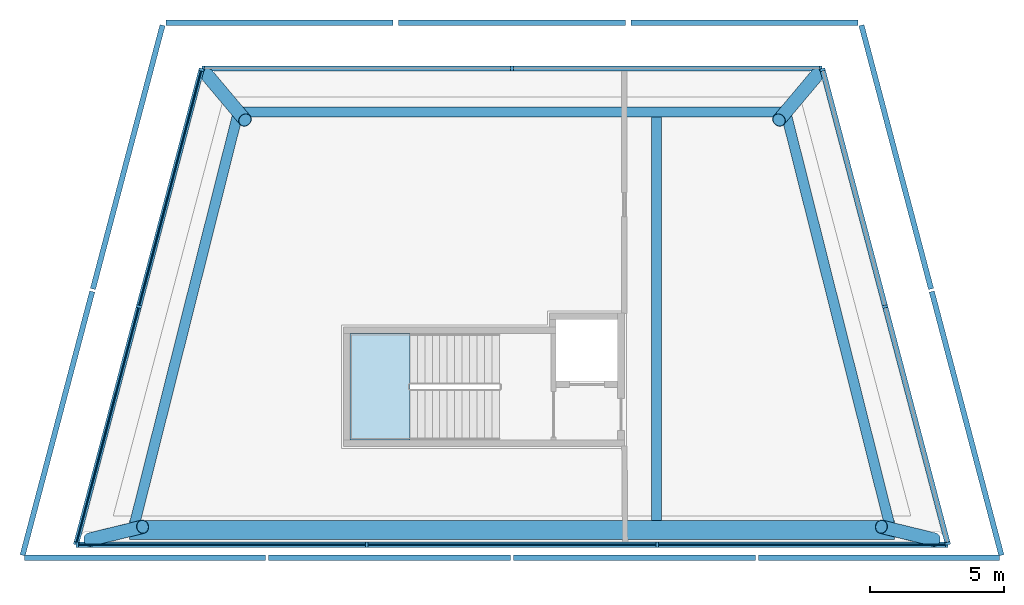
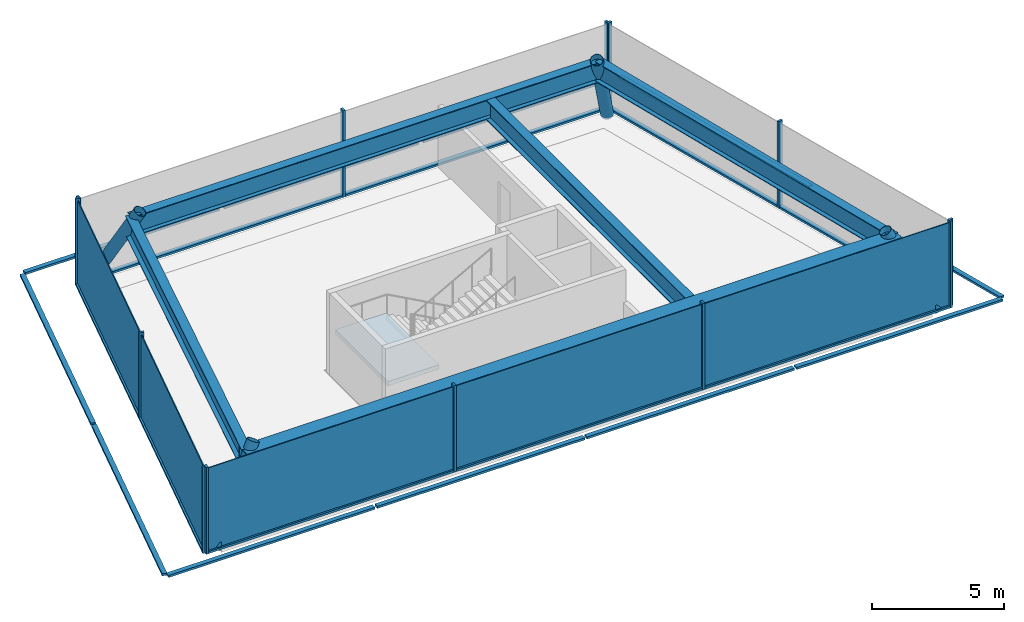
"""IFC4 building model written with IfcOpenShell, lengths in metres."""

from ifc_helpers import new_model, si_unit, direction, frame, origin, origin_2d, place, context, subcontext, project, spatial, polyline, rectangle, hollow_rectangle, hollow_circle, i_section, outline, extrude, material, layer, layer_set, material_profile, profile_set, type_object, element, aggregate, save


model = new_model("IFC4")

# Units and contexts
model_context = context("Model", 3, precision=1e-05, world=origin(), true_north=direction((0.0, 1.0)))
body_context = subcontext(model_context, "Body", "Model", "MODEL_VIEW")
ifc_project = project(units=[si_unit("LENGTHUNIT", "METRE"), si_unit("AREAUNIT", "SQUARE_METRE"), si_unit("VOLUMEUNIT", "CUBIC_METRE"), si_unit("PLANEANGLEUNIT", "RADIAN"), si_unit("MASSUNIT", "GRAM", prefix="KILO")], contexts=[model_context])

# Site, building, storey
site_placement = place(None, origin())
site = spatial("IfcSite", under=ifc_project, at=site_placement, CompositionType="ELEMENT")
building_placement = place(site_placement, origin())
building = spatial("IfcBuilding", under=site, at=building_placement, Name="Quipu Civic Tower", CompositionType="ELEMENT")
storey_1_placement = place(building_placement, frame((0.0, 0.0, 372.0)))
storey_1 = spatial("IfcBuildingStorey", under=building, at=storey_1_placement, Name="L86", CompositionType="ELEMENT", Elevation=372.0)

# Beam
ifc_material_1 = material(Name="Steel ASTM A992 Grade 50 (fy 345 MPa)", Category="steel")
ifc_material_profile_1 = material_profile(ifc_material_1, i_section(OverallWidth=0.384033203125, OverallDepth=0.911865234375, WebThickness=0.019287109375, FlangeThickness=0.031982421875, at=origin_2d()), Name="W920x342")
ifc_profile_set_1 = profile_set([ifc_material_profile_1], Name="Steel ASTM A992 Grade 50 (fy 345 MPa)")
beam_type_1 = type_object("IfcBeamType", Name="Crown floor beam W920x342", PredefinedType="BEAM", material=ifc_profile_set_1)
beam_1_placement = place(storey_1_placement, frame((5.39990234375, -9.217041015625, 3.294189453125), z_axis=(0.0, 1.0, 0.0), x_axis=(-1.0, 0.0, 0.0)))
element("IfcBeam", 1, at=beam_1_placement, inside=storey_1, type_object=beam_type_1, Name="Crown floor beam L86 454", PredefinedType="BEAM", context=body_context, shape_type="SweptSolid", body=[
    extrude(i_section(OverallWidth=0.384033203125, OverallDepth=0.911865234375, WebThickness=0.019287109375, FlangeThickness=0.031982421875, at=origin_2d()), origin(), (0.0, 0.0, 1.0), 15.07470703125),
])

# Members
ifc_material_2 = material(Name="Steel ASTM A500 Grade C (fy 345 MPa)", Category="steel")
ifc_material_profile_2 = material_profile(ifc_material_2, hollow_circle(Radius=0.25390625, WallThickness=0.015869140625, at=origin_2d()), Name="HSS508x15.9")
ifc_profile_set_2 = profile_set([ifc_material_profile_2], Name="Steel ASTM A500 Grade C (fy 345 MPa)")
member_type_1 = type_object("IfcMemberType", Name="Crown leg HSS508x15.9", PredefinedType="BRACE", material=ifc_profile_set_2)
for number, where, z_axis, x_axis, name in (
    (2, (-15.775146484375, -9.92578125, 0.0), (0.439648984698, 0.106632705339, 0.891817378394), (-0.235706778152, 0.971824220079, 0.0), "Crown leg L86 1"),
    (3, (15.775146484375, -9.92578125, 0.0), (-0.439648984698, 0.106632705339, 0.891817378394), (-0.235706778152, -0.971824220079, 0.0), "Crown leg L86 2"),
):
    element("IfcMember", number, at=place(storey_1_placement, frame(where, z_axis=z_axis, x_axis=x_axis)), inside=storey_1, type_object=member_type_1, Name=name, PredefinedType="BRACE", context=body_context, shape_type="SweptSolid", body=[
        extrude(hollow_circle(Radius=0.25390625, WallThickness=0.015869140625, at=origin_2d()), origin(), (0.0, 0.0, 1.0), 4.485107421875),
    ])
for number, where, z_axis, x_axis, name in (
    (4, (11.401611328125, 7.444091796875, 0.0), (-0.311733576778, -0.37037388298, 0.875011636446), (0.765074240872, -0.643942082764, 0.0), "Crown leg L86 3"),
    (5, (-11.401611328125, 7.444091796875, 0.0), (0.311733576778, -0.37037388298, 0.875011636446), (0.765074240872, 0.643942082764, 0.0), "Crown leg L86 4"),
):
    element("IfcMember", number, at=place(storey_1_placement, frame(where, z_axis=z_axis, x_axis=x_axis)), inside=storey_1, type_object=member_type_1, Name=name, PredefinedType="BRACE", context=body_context, shape_type="SweptSolid", body=[
        extrude(hollow_circle(Radius=0.25390625, WallThickness=0.015869140625, at=origin_2d()), origin(), (0.0, 0.0, 1.0), 4.5712890625),
    ])

# Beams
ifc_material_3 = material(Name="Steel ASTM A572 Grade 50 (fy 345 MPa)", Category="steel")
ifc_material_profile_3 = material_profile(ifc_material_3, hollow_rectangle(XDim=0.699951171875, YDim=1.5, WallThickness=0.050048828125, at=origin_2d()), Name="BX1500x700x50")
ifc_profile_set_3 = profile_set([ifc_material_profile_3], Name="Steel ASTM A572 Grade 50 (fy 345 MPa)")
beam_type_2 = type_object("IfcBeamType", Name="Crown ring girder BX1500x700x50", PredefinedType="BEAM", material=ifc_profile_set_3)
beam_2_placement = place(storey_1_placement, frame((-14.296142578125, -9.567138671875, 3.0), z_axis=(1.0, 0.0, 0.0), x_axis=(0.0, 1.0, 0.0)))
element("IfcBeam", 6, at=beam_2_placement, inside=storey_1, type_object=beam_type_2, Name="Crown ring girder L86 1 to 2", PredefinedType="BEAM", context=body_context, shape_type="SweptSolid", body=[
    extrude(hollow_rectangle(XDim=0.699951171875, YDim=1.5, WallThickness=0.050048828125, at=origin_2d()), origin(), (0.0, 0.0, 1.0), 28.59228515625),
])
ifc_material_4 = material(Name="Steel ASTM A992 Grade 50 (fy 345 MPa)", Category="steel")
ifc_material_profile_4 = material_profile(ifc_material_4, i_section(OverallWidth=0.384033203125, OverallDepth=0.911865234375, WebThickness=0.019287109375, FlangeThickness=0.031982421875, at=origin_2d()), Name="W920x342")
ifc_profile_set_4 = profile_set([ifc_material_profile_4], Name="Steel ASTM A992 Grade 50 (fy 345 MPa)")
beam_type_3 = type_object("IfcBeamType", Name="Crown ring girder W920x342", PredefinedType="BEAM", material=ifc_profile_set_4)
beam_3_placement = place(storey_1_placement, frame((14.151123046875, -9.531982421875, 3.294189453125), z_axis=(-0.244154804782, 0.969736268942, 0.0), x_axis=(-0.969736268942, -0.244154804782, 0.0)))
element("IfcBeam", 7, at=beam_3_placement, inside=storey_1, type_object=beam_type_3, Name="Crown ring girder L86 2 to 3", PredefinedType="BEAM", context=body_context, shape_type="SweptSolid", body=[
    extrude(i_section(OverallWidth=0.384033203125, OverallDepth=0.911865234375, WebThickness=0.019287109375, FlangeThickness=0.031982421875, at=origin_2d()), origin(), (0.0, 0.0, 1.0), 16.068115234375),
])
beam_4_placement = place(storey_1_placement, frame((10.22802734375, 6.0498046875, 3.294189453125), z_axis=(-1.0, 0.0, 0.0), x_axis=(0.0, -1.0, 0.0)))
element("IfcBeam", 8, at=beam_4_placement, inside=storey_1, type_object=beam_type_3, Name="Crown ring girder L86 3 to 4", PredefinedType="BEAM", context=body_context, shape_type="SweptSolid", body=[
    extrude(i_section(OverallWidth=0.384033203125, OverallDepth=0.911865234375, WebThickness=0.019287109375, FlangeThickness=0.031982421875, at=origin_2d()), origin(), (0.0, 0.0, 1.0), 20.4560546875),
])
beam_5_placement = place(storey_1_placement, frame((-10.22802734375, 6.0498046875, 3.294189453125), z_axis=(-0.244154804782, -0.969736268942, 0.0), x_axis=(0.969736268942, -0.244154804782, 0.0)))
element("IfcBeam", 9, at=beam_5_placement, inside=storey_1, type_object=beam_type_3, Name="Crown ring girder L86 4 to 1", PredefinedType="BEAM", context=body_context, shape_type="SweptSolid", body=[
    extrude(i_section(OverallWidth=0.384033203125, OverallDepth=0.911865234375, WebThickness=0.019287109375, FlangeThickness=0.031982421875, at=origin_2d()), origin(), (0.0, 0.0, 1.0), 16.068115234375),
])

# Curtain wall, members
ifc_material_5 = material(Name="Insulated glass unit", Category="glass")
curtain_wall_type_1 = type_object("IfcCurtainWallType", Name="Crown glass facets CW6", PredefinedType="NOTDEFINED", material=ifc_material_5)
curtain_wall_1_placement = place(storey_1_placement, origin())
curtain_wall_1 = element("IfcCurtainWall", 10, at=curtain_wall_1_placement, inside=storey_1, type_object=curtain_wall_type_1, Name="Crown glass facets CW6 L86 run 1", PredefinedType="NOTDEFINED")
ifc_material_6 = material(Name="Anodised aluminium", Category="aluminium")
ifc_material_profile_5 = material_profile(ifc_material_6, rectangle(XDim=0.199951171875, YDim=0.10009765625, at=origin_2d()), Name="RECT 200x100")
ifc_profile_set_5 = profile_set([ifc_material_profile_5], Name="Anodised aluminium")
member_type_2 = type_object("IfcMemberType", Name="Mullion CW6", PredefinedType="MULLION", material=ifc_profile_set_5)
member_1_placement = place(storey_1_placement, frame((-16.24365234375, -10.1201171875, 0.050048828125), z_axis=(0.0, 0.0, 1.0), x_axis=(0.0, 1.0, 0.0)))
member_1 = element("IfcMember", 11, at=member_1_placement, type_object=member_type_2, Name="CW6 mullion 1", PredefinedType="MULLION", context=body_context, shape_type="SweptSolid", body=[
    extrude(rectangle(XDim=0.199951171875, YDim=0.10009765625, at=origin_2d()), origin(), (0.0, 0.0, 1.0), 4.0),
])
member_2_placement = place(storey_1_placement, frame((-5.43115234375, -10.1201171875, 0.050048828125), z_axis=(0.0, 0.0, 1.0), x_axis=(0.0, 1.0, 0.0)))
member_2 = element("IfcMember", 12, at=member_2_placement, type_object=member_type_2, Name="CW6 mullion 2", PredefinedType="MULLION", context=body_context, shape_type="SweptSolid", body=[
    extrude(rectangle(XDim=0.199951171875, YDim=0.10009765625, at=origin_2d()), origin(), (0.0, 0.0, 1.0), 4.0),
])
member_3_placement = place(storey_1_placement, frame((5.43115234375, -10.1201171875, 0.050048828125), z_axis=(0.0, 0.0, 1.0), x_axis=(0.0, 1.0, 0.0)))
member_3 = element("IfcMember", 13, at=member_3_placement, type_object=member_type_2, Name="CW6 mullion 3", PredefinedType="MULLION", context=body_context, shape_type="SweptSolid", body=[
    extrude(rectangle(XDim=0.199951171875, YDim=0.10009765625, at=origin_2d()), origin(), (0.0, 0.0, 1.0), 4.0),
])
member_4_placement = place(storey_1_placement, frame((16.24365234375, -10.1201171875, 0.050048828125), z_axis=(0.0, 0.0, 1.0), x_axis=(0.0, 1.0, 0.0)))
member_4 = element("IfcMember", 14, at=member_4_placement, type_object=member_type_2, Name="CW6 mullion 4", PredefinedType="MULLION", context=body_context, shape_type="SweptSolid", body=[
    extrude(rectangle(XDim=0.199951171875, YDim=0.10009765625, at=origin_2d()), origin(), (0.0, 0.0, 1.0), 4.0),
])

curtain_wall_2_placement = place(storey_1_placement, origin())
curtain_wall_2 = element("IfcCurtainWall", 15, at=curtain_wall_2_placement, inside=storey_1, type_object=curtain_wall_type_1, Name="Crown glass facets CW6 L86 run 3", PredefinedType="NOTDEFINED")
member_5_placement = place(storey_1_placement, frame((11.543212890625, 7.679931640625, 0.050048828125), z_axis=(0.0, 0.0, 1.0), x_axis=(0.0, -1.0, 0.0)))
member_5 = element("IfcMember", 16, at=member_5_placement, type_object=member_type_2, Name="CW6 mullion 1", PredefinedType="MULLION", context=body_context, shape_type="SweptSolid", body=[
    extrude(rectangle(XDim=0.199951171875, YDim=0.10009765625, at=origin_2d()), origin(), (0.0, 0.0, 1.0), 4.0),
])
member_6_placement = place(storey_1_placement, frame((0.0, 7.679931640625, 0.050048828125), z_axis=(0.0, 0.0, 1.0), x_axis=(0.0, -1.0, 0.0)))
member_6 = element("IfcMember", 17, at=member_6_placement, type_object=member_type_2, Name="CW6 mullion 2", PredefinedType="MULLION", context=body_context, shape_type="SweptSolid", body=[
    extrude(rectangle(XDim=0.199951171875, YDim=0.10009765625, at=origin_2d()), origin(), (0.0, 0.0, 1.0), 4.0),
])
member_7_placement = place(storey_1_placement, frame((-11.543212890625, 7.679931640625, 0.050048828125), z_axis=(0.0, 0.0, 1.0), x_axis=(0.0, -1.0, 0.0)))
member_7 = element("IfcMember", 18, at=member_7_placement, type_object=member_type_2, Name="CW6 mullion 3", PredefinedType="MULLION", context=body_context, shape_type="SweptSolid", body=[
    extrude(rectangle(XDim=0.199951171875, YDim=0.10009765625, at=origin_2d()), origin(), (0.0, 0.0, 1.0), 4.0),
])

ifc_material_7 = material(Name="Anodised aluminium insulated panel", Category="aluminium")
curtain_wall_type_2 = type_object("IfcCurtainWallType", Name="Insulated infill wall CW6I", PredefinedType="NOTDEFINED", material=ifc_material_7)
curtain_wall_3_placement = place(storey_1_placement, origin())
curtain_wall_3 = element("IfcCurtainWall", 19, at=curtain_wall_3_placement, inside=storey_1, type_object=curtain_wall_type_2, Name="Insulated infill wall CW6I L86 run 2", PredefinedType="NOTDEFINED")
ifc_material_8 = material(Name="Anodised aluminium", Category="aluminium")
ifc_material_profile_6 = material_profile(ifc_material_8, rectangle(XDim=0.199951171875, YDim=0.10009765625, at=origin_2d()), Name="RECT 200x100")
ifc_profile_set_6 = profile_set([ifc_material_profile_6], Name="Anodised aluminium")
member_type_3 = type_object("IfcMemberType", Name="Mullion CW6I", PredefinedType="MULLION", material=ifc_profile_set_6)
member_8_placement = place(storey_1_placement, frame((16.28076171875, -10.07177734375, 0.050048828125), z_axis=(0.0, 0.0, 1.0), x_axis=(-0.966857760471, -0.255315630187, 0.0)))
member_8 = element("IfcMember", 20, at=member_8_placement, type_object=member_type_3, Name="CW6I mullion 1", PredefinedType="MULLION", context=body_context, shape_type="SweptSolid", body=[
    extrude(rectangle(XDim=0.199951171875, YDim=0.10009765625, at=origin_2d()), origin(), (0.0, 0.0, 1.0), 4.0),
])
member_9_placement = place(storey_1_placement, frame((13.943359375, -1.219970703125, 0.050048828125), z_axis=(0.0, 0.0, 1.0), x_axis=(-0.966857760471, -0.255315630187, 0.0)))
member_9 = element("IfcMember", 21, at=member_9_placement, type_object=member_type_3, Name="CW6I mullion 2", PredefinedType="MULLION", context=body_context, shape_type="SweptSolid", body=[
    extrude(rectangle(XDim=0.199951171875, YDim=0.10009765625, at=origin_2d()), origin(), (0.0, 0.0, 1.0), 4.0),
])
member_10_placement = place(storey_1_placement, frame((11.60595703125, 7.631591796875, 0.050048828125), z_axis=(0.0, 0.0, 1.0), x_axis=(-0.966857760471, -0.255315630187, 0.0)))
member_10 = element("IfcMember", 22, at=member_10_placement, type_object=member_type_3, Name="CW6I mullion 3", PredefinedType="MULLION", context=body_context, shape_type="SweptSolid", body=[
    extrude(rectangle(XDim=0.199951171875, YDim=0.10009765625, at=origin_2d()), origin(), (0.0, 0.0, 1.0), 4.0),
])

curtain_wall_4_placement = place(storey_1_placement, origin())
curtain_wall_4 = element("IfcCurtainWall", 23, at=curtain_wall_4_placement, inside=storey_1, type_object=curtain_wall_type_2, Name="Insulated infill wall CW6I L86 run 4", PredefinedType="NOTDEFINED")
member_11_placement = place(storey_1_placement, frame((-11.60595703125, 7.631591796875, 0.050048828125), z_axis=(0.0, 0.0, 1.0), x_axis=(0.966857760471, -0.255315630187, 0.0)))
member_11 = element("IfcMember", 24, at=member_11_placement, type_object=member_type_3, Name="CW6I mullion 1", PredefinedType="MULLION", context=body_context, shape_type="SweptSolid", body=[
    extrude(rectangle(XDim=0.199951171875, YDim=0.10009765625, at=origin_2d()), origin(), (0.0, 0.0, 1.0), 4.0),
])
member_12_placement = place(storey_1_placement, frame((-13.943359375, -1.219970703125, 0.050048828125), z_axis=(0.0, 0.0, 1.0), x_axis=(0.966857760471, -0.255315630187, 0.0)))
member_12 = element("IfcMember", 25, at=member_12_placement, type_object=member_type_3, Name="CW6I mullion 2", PredefinedType="MULLION", context=body_context, shape_type="SweptSolid", body=[
    extrude(rectangle(XDim=0.199951171875, YDim=0.10009765625, at=origin_2d()), origin(), (0.0, 0.0, 1.0), 4.0),
])
member_13_placement = place(storey_1_placement, frame((-16.28076171875, -10.07177734375, 0.050048828125), z_axis=(0.0, 0.0, 1.0), x_axis=(0.966857760471, -0.255315630187, 0.0)))
member_13 = element("IfcMember", 26, at=member_13_placement, type_object=member_type_3, Name="CW6I mullion 3", PredefinedType="MULLION", context=body_context, shape_type="SweptSolid", body=[
    extrude(rectangle(XDim=0.199951171875, YDim=0.10009765625, at=origin_2d()), origin(), (0.0, 0.0, 1.0), 4.0),
])

# Storey
storey_2_placement = place(building_placement, frame((0.0, 0.0, 368.0)))
storey_2 = spatial("IfcBuildingStorey", under=building, at=storey_2_placement, Name="L85", CompositionType="ELEMENT", Elevation=368.0)

# Curtain wall, members
curtain_wall_5_placement = place(storey_2_placement, origin())
curtain_wall_5 = element("IfcCurtainWall", 27, at=curtain_wall_5_placement, inside=storey_2, type_object=curtain_wall_type_1, Name="Crown glass facets CW6 L85 run 1", PredefinedType="NOTDEFINED")
ifc_material_9 = material(Name="Anodised aluminium", Category="aluminium")
ifc_material_profile_7 = material_profile(ifc_material_9, rectangle(XDim=0.199951171875, YDim=0.10009765625, at=origin_2d()), Name="RECT 200x100")
ifc_profile_set_7 = profile_set([ifc_material_profile_7], Name="Anodised aluminium")
member_type_4 = type_object("IfcMemberType", Name="Transom CW6", PredefinedType="USERDEFINED", material=ifc_profile_set_7)
member_14_placement = place(storey_1_placement, frame((-18.214111328125, -10.610107421875, 0.0), z_axis=(1.0, 0.0, 0.0), x_axis=(0.0, 1.0, 0.0)))
member_14 = element("IfcMember", 28, at=member_14_placement, inside=storey_1, type_object=member_type_4, Name="CW6 transom 1.2", ObjectType="TRANSOM", PredefinedType="USERDEFINED", context=body_context, shape_type="SweptSolid", body=[
    extrude(rectangle(XDim=0.199951171875, YDim=0.10009765625, at=origin_2d()), origin(), (0.0, 0.0, 1.0), 9.007080078125),
])
member_15_placement = place(storey_1_placement, frame((-9.10693359375, -10.610107421875, 0.0), z_axis=(1.0, 0.0, 0.0), x_axis=(0.0, 1.0, 0.0)))
member_15 = element("IfcMember", 29, at=member_15_placement, inside=storey_1, type_object=member_type_4, Name="CW6 transom 2.2", ObjectType="TRANSOM", PredefinedType="USERDEFINED", context=body_context, shape_type="SweptSolid", body=[
    extrude(rectangle(XDim=0.199951171875, YDim=0.10009765625, at=origin_2d()), origin(), (0.0, 0.0, 1.0), 9.056884765625),
])
member_16_placement = place(storey_1_placement, frame((0.050048828125, -10.610107421875, 0.0), z_axis=(1.0, 0.0, 0.0), x_axis=(0.0, 1.0, 0.0)))
member_16 = element("IfcMember", 30, at=member_16_placement, inside=storey_1, type_object=member_type_4, Name="CW6 transom 3.2", ObjectType="TRANSOM", PredefinedType="USERDEFINED", context=body_context, shape_type="SweptSolid", body=[
    extrude(rectangle(XDim=0.199951171875, YDim=0.10009765625, at=origin_2d()), origin(), (0.0, 0.0, 1.0), 9.056884765625),
])
member_17_placement = place(storey_1_placement, frame((9.20703125, -10.610107421875, 0.0), z_axis=(1.0, 0.0, 0.0), x_axis=(0.0, 1.0, 0.0)))
member_17 = element("IfcMember", 31, at=member_17_placement, inside=storey_1, type_object=member_type_4, Name="CW6 transom 4.2", ObjectType="TRANSOM", PredefinedType="USERDEFINED", context=body_context, shape_type="SweptSolid", body=[
    extrude(rectangle(XDim=0.199951171875, YDim=0.10009765625, at=origin_2d()), origin(), (0.0, 0.0, 1.0), 9.007080078125),
])
aggregate(curtain_wall_5, [member_14, member_15, member_16, member_17])

# Curtain wall, member
curtain_wall_6_placement = place(storey_2_placement, origin())
curtain_wall_6 = element("IfcCurtainWall", 32, at=curtain_wall_6_placement, inside=storey_2, type_object=curtain_wall_type_1, Name="Crown glass facets CW6 L85 run 3b", PredefinedType="NOTDEFINED")
member_18_placement = place(storey_1_placement, frame((4.244140625, 9.389892578125, 0.0), z_axis=(-1.0, 0.0, 0.0), x_axis=(0.0, -1.0, 0.0)))
member_18 = element("IfcMember", 33, at=member_18_placement, inside=storey_1, type_object=member_type_4, Name="CW6 transom 1.2", ObjectType="TRANSOM", PredefinedType="USERDEFINED", context=body_context, shape_type="SweptSolid", body=[
    extrude(rectangle(XDim=0.199951171875, YDim=0.10009765625, at=origin_2d()), origin(), (0.0, 0.0, 1.0), 8.48828125),
])
aggregate(curtain_wall_6, [member_18])

# Member
member_19_placement = place(storey_1_placement, frame((-16.193603515625, -10.1201171875, 0.10009765625), z_axis=(1.0, 0.0, 0.0), x_axis=(0.0, 1.0, 0.0)))
member_19 = element("IfcMember", 34, at=member_19_placement, type_object=member_type_4, Name="CW6 transom 1.1", ObjectType="TRANSOM", PredefinedType="USERDEFINED", context=body_context, shape_type="SweptSolid", body=[
    extrude(rectangle(XDim=0.199951171875, YDim=0.10009765625, at=origin_2d()), origin(), (0.0, 0.0, 1.0), 10.71240234375),
])

member_20_placement = place(storey_1_placement, frame((-5.381103515625, -10.1201171875, 0.10009765625), z_axis=(1.0, 0.0, 0.0), x_axis=(0.0, 1.0, 0.0)))
member_20 = element("IfcMember", 35, at=member_20_placement, type_object=member_type_4, Name="CW6 transom 2.1", ObjectType="TRANSOM", PredefinedType="USERDEFINED", context=body_context, shape_type="SweptSolid", body=[
    extrude(rectangle(XDim=0.199951171875, YDim=0.10009765625, at=origin_2d()), origin(), (0.0, 0.0, 1.0), 10.76220703125),
])

member_21_placement = place(storey_1_placement, frame((5.481201171875, -10.1201171875, 0.10009765625), z_axis=(1.0, 0.0, 0.0), x_axis=(0.0, 1.0, 0.0)))
member_21 = element("IfcMember", 36, at=member_21_placement, type_object=member_type_4, Name="CW6 transom 3.1", ObjectType="TRANSOM", PredefinedType="USERDEFINED", context=body_context, shape_type="SweptSolid", body=[
    extrude(rectangle(XDim=0.199951171875, YDim=0.10009765625, at=origin_2d()), origin(), (0.0, 0.0, 1.0), 10.71240234375),
])

member_22_placement = place(storey_1_placement, frame((11.4931640625, 7.679931640625, 0.10009765625), z_axis=(-1.0, 0.0, 0.0), x_axis=(0.0, -1.0, 0.0)))
member_22 = element("IfcMember", 37, at=member_22_placement, type_object=member_type_4, Name="CW6 transom 1.1", ObjectType="TRANSOM", PredefinedType="USERDEFINED", context=body_context, shape_type="SweptSolid", body=[
    extrude(rectangle(XDim=0.199951171875, YDim=0.10009765625, at=origin_2d()), origin(), (0.0, 0.0, 1.0), 11.443115234375),
])

member_23_placement = place(storey_1_placement, frame((-0.050048828125, 7.679931640625, 0.10009765625), z_axis=(-1.0, 0.0, 0.0), x_axis=(0.0, -1.0, 0.0)))
member_23 = element("IfcMember", 38, at=member_23_placement, type_object=member_type_4, Name="CW6 transom 2.1", ObjectType="TRANSOM", PredefinedType="USERDEFINED", context=body_context, shape_type="SweptSolid", body=[
    extrude(rectangle(XDim=0.199951171875, YDim=0.10009765625, at=origin_2d()), origin(), (0.0, 0.0, 1.0), 11.443115234375),
])

aggregate(curtain_wall_2, [member_5, member_6, member_7, member_22, member_23])

# Curtain wall, members
curtain_wall_7_placement = place(storey_2_placement, origin())
curtain_wall_7 = element("IfcCurtainWall", 39, at=curtain_wall_7_placement, inside=storey_2, type_object=curtain_wall_type_2, Name="Insulated infill wall CW6I L85 run 2", PredefinedType="NOTDEFINED")
ifc_material_10 = material(Name="Anodised aluminium", Category="aluminium")
ifc_material_profile_8 = material_profile(ifc_material_10, rectangle(XDim=0.199951171875, YDim=0.10009765625, at=origin_2d()), Name="RECT 200x100")
ifc_profile_set_8 = profile_set([ifc_material_profile_8], Name="Anodised aluminium")
member_type_5 = type_object("IfcMemberType", Name="Transom CW6I", PredefinedType="USERDEFINED", material=ifc_profile_set_8)
member_24_placement = place(storey_1_placement, frame((18.28857421875, -10.513427734375, 0.0), z_axis=(-0.2553078985, 0.966859802124, 0.0), x_axis=(-0.966859802124, -0.2553078985, 0.0)))
member_24 = element("IfcMember", 40, at=member_24_placement, inside=storey_1, type_object=member_type_5, Name="CW6I transom 1.2", ObjectType="TRANSOM", PredefinedType="USERDEFINED", context=body_context, shape_type="SweptSolid", body=[
    extrude(rectangle(XDim=0.199951171875, YDim=0.10009765625, at=origin_2d()), origin(), (0.0, 0.0, 1.0), 10.19287109375),
])
member_25_placement = place(storey_1_placement, frame((15.66064453125, -0.561767578125, 0.0), z_axis=(-0.2553078985, 0.966859802124, 0.0), x_axis=(-0.966859802124, -0.2553078985, 0.0)))
member_25 = element("IfcMember", 41, at=member_25_placement, inside=storey_1, type_object=member_type_5, Name="CW6I transom 2.2", ObjectType="TRANSOM", PredefinedType="USERDEFINED", context=body_context, shape_type="SweptSolid", body=[
    extrude(rectangle(XDim=0.199951171875, YDim=0.10009765625, at=origin_2d()), origin(), (0.0, 0.0, 1.0), 10.19287109375),
])
aggregate(curtain_wall_7, [member_24, member_25])

# Curtain wall, member
curtain_wall_8_placement = place(storey_2_placement, origin())
curtain_wall_8 = element("IfcCurtainWall", 42, at=curtain_wall_8_placement, inside=storey_2, type_object=curtain_wall_type_2, Name="Insulated infill wall CW6I L85 run 3a", PredefinedType="NOTDEFINED")
member_26_placement = place(storey_1_placement, frame((12.9326171875, 9.389892578125, 0.0), z_axis=(-1.0, 0.0, 0.0), x_axis=(0.0, -1.0, 0.0)))
member_26 = element("IfcMember", 43, at=member_26_placement, inside=storey_1, type_object=member_type_5, Name="CW6I transom 1.2", ObjectType="TRANSOM", PredefinedType="USERDEFINED", context=body_context, shape_type="SweptSolid", body=[
    extrude(rectangle(XDim=0.199951171875, YDim=0.10009765625, at=origin_2d()), origin(), (0.0, 0.0, 1.0), 8.488525390625),
])
aggregate(curtain_wall_8, [member_26])

curtain_wall_9_placement = place(storey_2_placement, origin())
curtain_wall_9 = element("IfcCurtainWall", 44, at=curtain_wall_9_placement, inside=storey_2, type_object=curtain_wall_type_2, Name="Insulated infill wall CW6I L85 run 3c", PredefinedType="NOTDEFINED")
member_27_placement = place(storey_1_placement, frame((-4.444091796875, 9.389892578125, 0.0), z_axis=(-1.0, 0.0, 0.0), x_axis=(0.0, -1.0, 0.0)))
member_27 = element("IfcMember", 45, at=member_27_placement, inside=storey_1, type_object=member_type_5, Name="CW6I transom 1.2", ObjectType="TRANSOM", PredefinedType="USERDEFINED", context=body_context, shape_type="SweptSolid", body=[
    extrude(rectangle(XDim=0.199951171875, YDim=0.10009765625, at=origin_2d()), origin(), (0.0, 0.0, 1.0), 8.488525390625),
])
aggregate(curtain_wall_9, [member_27])

# Curtain wall, members
curtain_wall_10_placement = place(storey_2_placement, origin())
curtain_wall_10 = element("IfcCurtainWall", 46, at=curtain_wall_10_placement, inside=storey_2, type_object=curtain_wall_type_2, Name="Insulated infill wall CW6I L85 run 4", PredefinedType="NOTDEFINED")
member_28_placement = place(storey_1_placement, frame((-13.058349609375, 9.293212890625, 0.0), z_axis=(-0.2553078985, -0.966859802124, 0.0), x_axis=(0.966859802124, -0.2553078985, 0.0)))
member_28 = element("IfcMember", 47, at=member_28_placement, inside=storey_1, type_object=member_type_5, Name="CW6I transom 1.2", ObjectType="TRANSOM", PredefinedType="USERDEFINED", context=body_context, shape_type="SweptSolid", body=[
    extrude(rectangle(XDim=0.199951171875, YDim=0.10009765625, at=origin_2d()), origin(), (0.0, 0.0, 1.0), 10.19287109375),
])
member_29_placement = place(storey_1_placement, frame((-15.686279296875, -0.658447265625, 0.0), z_axis=(-0.2553078985, -0.966859802124, 0.0), x_axis=(0.966859802124, -0.2553078985, 0.0)))
member_29 = element("IfcMember", 48, at=member_29_placement, inside=storey_1, type_object=member_type_5, Name="CW6I transom 2.2", ObjectType="TRANSOM", PredefinedType="USERDEFINED", context=body_context, shape_type="SweptSolid", body=[
    extrude(rectangle(XDim=0.199951171875, YDim=0.10009765625, at=origin_2d()), origin(), (0.0, 0.0, 1.0), 10.19287109375),
])
aggregate(curtain_wall_10, [member_28, member_29])

# Member
member_30_placement = place(storey_1_placement, frame((16.26806640625, -10.023193359375, 0.10009765625), z_axis=(-0.255329302824, 0.966854149869, 0.0), x_axis=(-0.966854149869, -0.255329302824, 0.0)))
member_30 = element("IfcMember", 49, at=member_30_placement, type_object=member_type_5, Name="CW6I transom 1.1", ObjectType="TRANSOM", PredefinedType="USERDEFINED", context=body_context, shape_type="SweptSolid", body=[
    extrude(rectangle(XDim=0.199951171875, YDim=0.10009765625, at=origin_2d()), origin(), (0.0, 0.0, 1.0), 9.054931640625),
])

member_31_placement = place(storey_1_placement, frame((13.9306640625, -1.171630859375, 0.10009765625), z_axis=(-0.255329302824, 0.966854149869, 0.0), x_axis=(-0.966854149869, -0.255329302824, 0.0)))
member_31 = element("IfcMember", 50, at=member_31_placement, type_object=member_type_5, Name="CW6I transom 2.1", ObjectType="TRANSOM", PredefinedType="USERDEFINED", context=body_context, shape_type="SweptSolid", body=[
    extrude(rectangle(XDim=0.199951171875, YDim=0.10009765625, at=origin_2d()), origin(), (0.0, 0.0, 1.0), 9.054931640625),
])

aggregate(curtain_wall_3, [member_8, member_9, member_10, member_30, member_31])

member_32_placement = place(storey_1_placement, frame((-11.61865234375, 7.583251953125, 0.10009765625), z_axis=(-0.255329302824, -0.966854149869, 0.0), x_axis=(0.966854149869, -0.255329302824, 0.0)))
member_32 = element("IfcMember", 51, at=member_32_placement, type_object=member_type_5, Name="CW6I transom 1.1", ObjectType="TRANSOM", PredefinedType="USERDEFINED", context=body_context, shape_type="SweptSolid", body=[
    extrude(rectangle(XDim=0.199951171875, YDim=0.10009765625, at=origin_2d()), origin(), (0.0, 0.0, 1.0), 9.054931640625),
])

member_33_placement = place(storey_1_placement, frame((-13.9560546875, -1.268310546875, 0.10009765625), z_axis=(-0.255329302824, -0.966854149869, 0.0), x_axis=(0.966854149869, -0.255329302824, 0.0)))
member_33 = element("IfcMember", 52, at=member_33_placement, type_object=member_type_5, Name="CW6I transom 2.1", ObjectType="TRANSOM", PredefinedType="USERDEFINED", context=body_context, shape_type="SweptSolid", body=[
    extrude(rectangle(XDim=0.199951171875, YDim=0.10009765625, at=origin_2d()), origin(), (0.0, 0.0, 1.0), 9.054931640625),
])

# Plate
ifc_material_11 = material(Name="Insulated glass unit", Category="glass")
ifc_layer_1 = layer(ifc_material_11, 0.0400390625)
ifc_layer_set_1 = layer_set([ifc_layer_1], Name="Insulated glass unit")
plate_type_1 = type_object("IfcPlateType", Name="Glass panel CW6", PredefinedType="CURTAIN_PANEL", material=ifc_layer_set_1)
plate_1_placement = place(storey_1_placement, frame((-10.83740234375, -10.1201171875, 0.14990234375), z_axis=(0.0, 0.0, 1.0), x_axis=(1.0, 0.0, 0.0)))
plate_1 = element("IfcPlate", 53, at=plate_1_placement, type_object=plate_type_1, Name="CW6 panel 1.1", PredefinedType="CURTAIN_PANEL", context=body_context, shape_type="SweptSolid", body=[
    extrude(rectangle(XDim=10.71240234375, YDim=0.0400390625, at=origin_2d()), origin(), (0.0, 0.0, 1.0), 3.800048828125),
])

plate_2_placement = place(storey_1_placement, frame((0.0, -10.1201171875, 0.14990234375), z_axis=(0.0, 0.0, 1.0), x_axis=(1.0, 0.0, 0.0)))
plate_2 = element("IfcPlate", 54, at=plate_2_placement, type_object=plate_type_1, Name="CW6 panel 2.1", PredefinedType="CURTAIN_PANEL", context=body_context, shape_type="SweptSolid", body=[
    extrude(rectangle(XDim=10.762451171875, YDim=0.0400390625, at=origin_2d()), origin(), (0.0, 0.0, 1.0), 3.800048828125),
])

plate_3_placement = place(storey_1_placement, frame((10.83740234375, -10.1201171875, 0.14990234375), z_axis=(0.0, 0.0, 1.0), x_axis=(1.0, 0.0, 0.0)))
plate_3 = element("IfcPlate", 55, at=plate_3_placement, type_object=plate_type_1, Name="CW6 panel 3.1", PredefinedType="CURTAIN_PANEL", context=body_context, shape_type="SweptSolid", body=[
    extrude(rectangle(XDim=10.71240234375, YDim=0.0400390625, at=origin_2d()), origin(), (0.0, 0.0, 1.0), 3.800048828125),
])

aggregate(curtain_wall_1, [member_1, member_2, member_3, member_4, member_19, plate_1, member_20, plate_2, member_21, plate_3])

ifc_material_12 = material(Name="Anodised aluminium insulated panel", Category="aluminium")
ifc_layer_2 = layer(ifc_material_12, 0.0400390625)
ifc_layer_set_2 = layer_set([ifc_layer_2], Name="Anodised aluminium insulated panel")
plate_type_2 = type_object("IfcPlateType", Name="Insulated panel CW6I", PredefinedType="CURTAIN_PANEL", material=ifc_layer_set_2)
plate_4_placement = place(storey_1_placement, frame((-12.774658203125, 3.205810546875, 0.14990234375), z_axis=(0.0, 0.0, 1.0), x_axis=(-0.255315630187, -0.966857760471, 0.0)))
plate_4 = element("IfcPlate", 56, at=plate_4_placement, type_object=plate_type_2, Name="CW6I panel 1.1", PredefinedType="CURTAIN_PANEL", context=body_context, shape_type="SweptSolid", body=[
    extrude(rectangle(XDim=9.05517578125, YDim=0.0400390625, at=origin_2d()), origin(), (0.0, 0.0, 1.0), 3.800048828125),
])

plate_5_placement = place(storey_1_placement, frame((-15.112060546875, -5.645751953125, 0.14990234375), z_axis=(0.0, 0.0, 1.0), x_axis=(-0.255315630187, -0.966857760471, 0.0)))
plate_5 = element("IfcPlate", 57, at=plate_5_placement, type_object=plate_type_2, Name="CW6I panel 2.1", PredefinedType="CURTAIN_PANEL", context=body_context, shape_type="SweptSolid", body=[
    extrude(rectangle(XDim=9.05517578125, YDim=0.0400390625, at=origin_2d()), origin(), (0.0, 0.0, 1.0), 3.800048828125),
])

aggregate(curtain_wall_4, [member_11, member_12, member_13, member_32, plate_4, member_33, plate_5])

# Stair, slab
ifc_material_13 = material(Name="Concrete C40/50", Category="concrete")
stair_type = type_object("IfcStairType", Name="Half turn stair 1910", PredefinedType="HALF_TURN_STAIR", material=ifc_material_13)
stair_placement = place(storey_1_placement, origin())
stair = element("IfcStair", 58, at=stair_placement, inside=storey_1, type_object=stair_type, Name="Crown access stair", PredefinedType="HALF_TURN_STAIR")
ifc_material_14 = material(Name="Concrete C40/50", Category="concrete")
ifc_layer_3 = layer(ifc_material_14, 0.199951171875)
ifc_layer_set_3 = layer_set([ifc_layer_3], Name="Concrete C40/50")
slab_type = type_object("IfcSlabType", Name="Stair landing 200", PredefinedType="LANDING", material=ifc_layer_set_3)
slab_placement = place(storey_1_placement, frame((0.0, 0.0, 1.800048828125)))
slab = element("IfcSlab", 59, at=slab_placement, type_object=slab_type, Name="ST-5 landing 1", PredefinedType="LANDING", context=body_context, shape_type="SweptSolid", body=[
    extrude(outline(polyline([(-3.820068359375, -2.22998046875), (-6.050048828125, -2.22998046875), (-6.050048828125, -6.199951171875), (-3.820068359375, -6.199951171875), (-3.820068359375, -2.22998046875)])), origin(), (0.0, 0.0, 1.0), 0.199951171875),
])
aggregate(stair, [slab])

save(model, "model.ifc")
